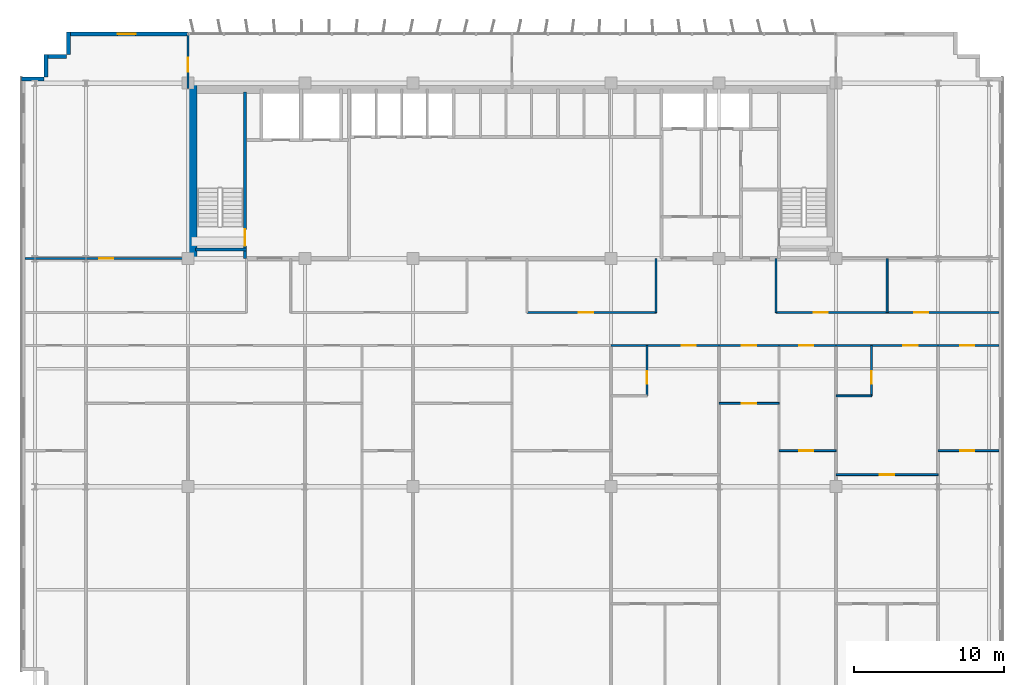
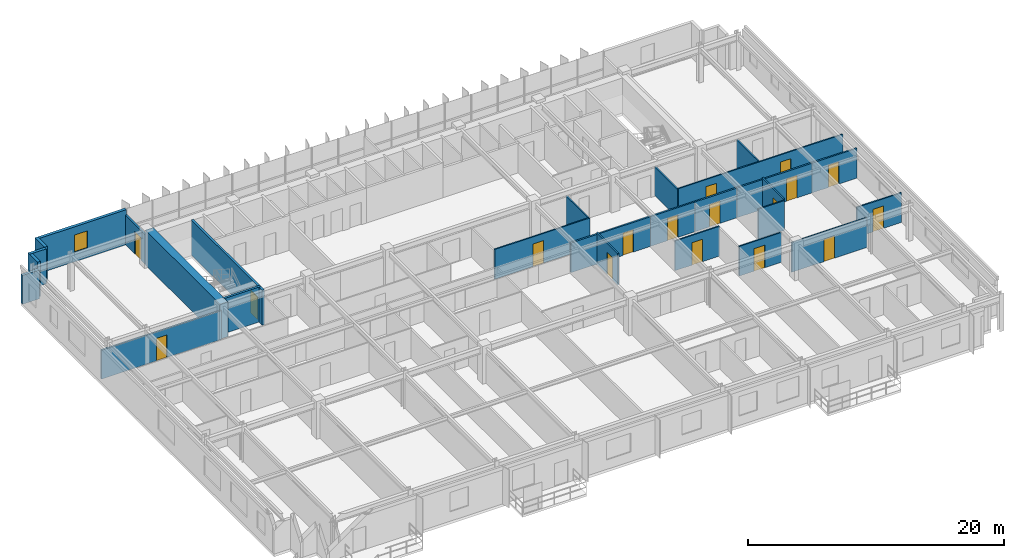
# One storey, part 16 of 21: 27 walls, 17 doors, 1 window, 18 openings.
"""IFC4 building model written with IfcOpenShell, lengths in metres."""

from ifc_helpers import new_model, si_unit, direction, frame, frame_2d, origin, place, context, subcontext, project, spatial, rectangle, extrude, source, transform, mapped, material, layer, layer_set, type_object, element, fill, save


model = new_model("IFC4")

# Units and contexts
model_context = context("Model", 3, precision=1e-05, world=origin(), true_north=direction((0.0, 1.0)))
body_context = subcontext(model_context, "Body", "Model", "MODEL_VIEW")
ifc_project = project(units=[si_unit("LENGTHUNIT", "METRE"), si_unit("AREAUNIT", "SQUARE_METRE"), si_unit("VOLUMEUNIT", "CUBIC_METRE"), si_unit("PLANEANGLEUNIT", "RADIAN"), si_unit("MASSUNIT", "GRAM", prefix="KILO")], contexts=[model_context])

# Site, building, storey
site_placement = place(None, origin())
site = spatial("IfcSite", under=ifc_project, at=site_placement, CompositionType="ELEMENT")
building_placement = place(site_placement, origin())
building = spatial("IfcBuilding", under=site, at=building_placement, Name="Trelvane Seafront Commons", CompositionType="ELEMENT")
storey_placement = place(building_placement, frame((0.0, 0.0, 110.5)))
storey = spatial("IfcBuildingStorey", under=building, at=storey_placement, Name="L28", CompositionType="ELEMENT", Elevation=110.5)

# Wall, opening, window
ifc_material_1 = material(Name="Precast concrete C40/50", Category="concrete")
ifc_layer_1 = layer(ifc_material_1, 0.260009765625, Name="ARCH-WALL-EXT260")
ifc_layer_set_1 = layer_set([ifc_layer_1], Name="Precast concrete C40/50")
wall_type_1 = type_object("IfcWallType", Name="ARCH-WALL-EXT260", PredefinedType="SOLIDWALL", material=ifc_layer_set_1)
wall_1_placement = place(storey_placement, frame((7.60009765625, 48.3701171875, 0.0), z_axis=(0.0, 0.0, 1.0), x_axis=(1.0, 0.0, 0.0)))
wall_1 = element("IfcWall", 1, at=wall_1_placement, inside=storey, type_object=wall_type_1, Name="EW-L28-NW-0517", PredefinedType="SOLIDWALL", context=body_context, shape_type="SweptSolid", body=[
    extrude(rectangle(XDim=8.0, YDim=0.260009765625, at=frame_2d((4.0, 0.0))), origin(), (0.0, 0.0, 1.0), 3.340087890625),
])
opening_1_placement = place(wall_1_placement, frame((3.30810546875, 0.0, 0.89990234375)))
opening_1 = element("IfcOpeningElement", 2, at=opening_1_placement, cuts=wall_1, Name="Opening W05", PredefinedType="OPENING", context=body_context, shape_type="SweptSolid", body=[
    extrude(rectangle(XDim=1.199951171875, YDim=1.64990234375, at=frame_2d((0.60009765625, 0.824951171875))), frame((0.0, 0.139892578125, 0.0), z_axis=(0.0, -1.0, 0.0), x_axis=(1.0, 0.0, 0.0)), (0.0, 0.0, 1.0), 0.280029296875),
])
ifc_material_2 = material(Name="Low-E coastal double glazing", Category="glass")
window_type = type_object("IfcWindowType", Name="ARCH-WIN-W05", PartitioningType="SINGLE_PANEL", PredefinedType="WINDOW", material=ifc_material_2)
shared_shape_1 = source(origin(), body_context, "Body", "SweptSolid", [
    extrude(rectangle(XDim=1.199951171875, YDim=1.64990234375, at=frame_2d((0.60009765625, 0.824951171875))), frame((0.0, 0.030029296875, 0.0), z_axis=(0.0, -1.0, 0.0), x_axis=(1.0, 0.0, 0.0)), (0.0, 0.0, 1.0), 0.06005859375),
])
window_placement = place(opening_1_placement, origin())
window = element("IfcWindow", 3, at=window_placement, inside=storey, type_object=window_type, Name="WIN-L28-00610", OverallHeight=1.64990234375, OverallWidth=1.199951171875, PartitioningType="SINGLE_PANEL", PredefinedType="WINDOW", context=body_context, shape_type="MappedRepresentation", body=[
    mapped(shared_shape_1, transform((0.0, 0.0, 0.0), x_axis=(1.0, 0.0, 0.0), y_axis=(0.0, 1.0, 0.0), z_axis=(0.0, 0.0, 1.0), scale=1.0)),
])
fill(opening_1, window)

# Walls
wall_2_placement = place(storey_placement, frame((4.5, 45.3701171875, 0.0), z_axis=(0.0, 0.0, 1.0), x_axis=(1.0, 0.0, 0.0)))
element("IfcWall", 4, at=wall_2_placement, inside=storey, type_object=wall_type_1, Name="EW-L28-00523", PredefinedType="SOLIDWALL", context=body_context, shape_type="SweptSolid", body=[
    extrude(rectangle(XDim=1.5, YDim=0.260009765625, at=frame_2d((0.75, 0.0))), origin(), (0.0, 0.0, 1.0), 2.751953125),
])
for number, where, z_axis, x_axis, name in (
    (5, (6.1298828125, 45.5, 0.0), (0.0, 0.0, 1.0), (0.0, 1.0, 0.0), "EW-L28-00524"),
    (6, (6.0, 46.8701171875, 0.0), (0.0, 0.0, 1.0), (1.0, 0.0, 0.0), "EW-L28-00525"),
    (7, (7.6298828125, 47.0, 0.0), (0.0, 0.0, 1.0), (0.0, 1.0, 0.0), "EW-L28-00526"),
):
    element("IfcWall", number, at=place(storey_placement, frame(where, z_axis=z_axis, x_axis=x_axis)), inside=storey, type_object=wall_type_1, Name=name, PredefinedType="SOLIDWALL", context=body_context, shape_type="SweptSolid", body=[
        extrude(rectangle(XDim=1.5, YDim=0.260009765625, at=frame_2d((0.75, 0.0))), origin(), (0.0, 0.0, 1.0), 3.340087890625),
    ])

# Wall, opening, door
ifc_material_3 = material(Name="Gypsum Drywall Acoustic Partition")
ifc_layer_2 = layer(ifc_material_3, 0.1201171875, Name="ARCH-WALL-PART120")
ifc_layer_set_2 = layer_set([ifc_layer_2], Name="Gypsum Drywall Acoustic Partition")
wall_type_2 = type_object("IfcWallType", Name="ARCH-WALL-PART120", PredefinedType="PARTITIONING", material=ifc_layer_set_2)
wall_3_placement = place(storey_placement, frame((38.199951171875, 29.800048828125, 0.0), z_axis=(0.0, 0.0, 1.0), x_axis=(1.0, 0.0, 0.0)))
wall_3 = element("IfcWall", 8, at=wall_3_placement, inside=storey, type_object=wall_type_2, Name="W-L28-CORR-N-M2-040", PredefinedType="PARTITIONING", context=body_context, shape_type="SweptSolid", body=[
    extrude(rectangle(XDim=8.60009765625, YDim=0.1201171875, at=frame_2d((4.300048828125, 0.0))), origin(), (0.0, 0.0, 1.0), 2.840087890625),
])
opening_2_placement = place(wall_3_placement, frame((3.4619140625, 0.0, 0.0)))
opening_2 = element("IfcOpeningElement", 9, at=opening_2_placement, cuts=wall_3, Name="Opening D-L28-20", PredefinedType="OPENING", context=body_context, shape_type="SweptSolid", body=[
    extrude(rectangle(XDim=0.949951171875, YDim=2.14990234375, at=frame_2d((0.47509765625, 1.074951171875))), frame((0.0, 0.070068359375, 0.0), z_axis=(0.0, -1.0, 0.0), x_axis=(1.0, 0.0, 0.0)), (0.0, 0.0, 1.0), 0.14013671875),
])
ifc_material_4 = material(Name="Acoustic timber door leaf", Category="wood")
door_type_1 = type_object("IfcDoorType", Name="ARCH-DR-INT950", OperationType="NOTDEFINED", PredefinedType="DOOR", material=ifc_material_4)
shared_shape_2 = source(origin(), body_context, "Body", "SweptSolid", [
    extrude(rectangle(XDim=0.949951171875, YDim=2.14990234375, at=frame_2d((0.47509765625, 1.074951171875))), frame((0.0, 0.02490234375, 0.0), z_axis=(0.0, -1.0, 0.0), x_axis=(1.0, 0.0, 0.0)), (0.0, 0.0, 1.0), 0.050048828125),
])
door_1_placement = place(opening_2_placement, origin())
door_1 = element("IfcDoor", 10, at=door_1_placement, inside=storey, type_object=door_type_1, Name="L28 Door 20", OperationType="SINGLE_SWING_RIGHT", OverallHeight=2.14990234375, OverallWidth=0.949951171875, PredefinedType="DOOR", context=body_context, shape_type="MappedRepresentation", body=[
    mapped(shared_shape_2, transform((0.0, 0.0, 0.0), x_axis=(1.0, 0.0, 0.0), y_axis=(0.0, 1.0, 0.0), z_axis=(0.0, 0.0, 1.0), scale=1.0)),
])
fill(opening_2, door_1)

# Wall, openings, doors
wall_4_placement = place(storey_placement, frame((54.800048828125, 29.800048828125, 0.0), z_axis=(0.0, 0.0, 1.0), x_axis=(1.0, 0.0, 0.0)))
wall_4 = element("IfcWall", 11, at=wall_4_placement, inside=storey, type_object=wall_type_2, Name="W-L28-CORR-N-E-041", PredefinedType="PARTITIONING", context=body_context, shape_type="SweptSolid", body=[
    extrude(rectangle(XDim=14.849853515625, YDim=0.1201171875, at=frame_2d((7.4248046875, 0.0))), origin(), (0.0, 0.0, 1.0), 2.840087890625),
])
opening_3_placement = place(wall_4_placement, frame((2.5, 0.0, 0.0)))
opening_3 = element("IfcOpeningElement", 12, at=opening_3_placement, cuts=wall_4, Name="Opening D-L28-21", PredefinedType="OPENING", context=body_context, shape_type="SweptSolid", body=[
    extrude(rectangle(XDim=0.949951171875, YDim=2.14990234375, at=frame_2d((0.47509765625, 1.074951171875))), frame((0.0, 0.070068359375, 0.0), z_axis=(0.0, -1.0, 0.0), x_axis=(1.0, 0.0, 0.0)), (0.0, 0.0, 1.0), 0.14013671875),
])
opening_4_placement = place(wall_4_placement, frame((9.199951171875, 0.0, 0.0)))
opening_4 = element("IfcOpeningElement", 13, at=opening_4_placement, cuts=wall_4, Name="Opening D-L28-22", PredefinedType="OPENING", context=body_context, shape_type="SweptSolid", body=[
    extrude(rectangle(XDim=0.949951171875, YDim=2.14990234375, at=frame_2d((0.47509765625, 1.074951171875))), frame((0.0, 0.070068359375, 0.0), z_axis=(0.0, -1.0, 0.0), x_axis=(1.0, 0.0, 0.0)), (0.0, 0.0, 1.0), 0.14013671875),
])
door_2_placement = place(opening_3_placement, origin())
door_2 = element("IfcDoor", 14, at=door_2_placement, inside=storey, type_object=door_type_1, Name="L28 Door 21", OperationType="SINGLE_SWING_LEFT", OverallHeight=2.14990234375, OverallWidth=0.949951171875, PredefinedType="DOOR", context=body_context, shape_type="MappedRepresentation", body=[
    mapped(shared_shape_2, transform((0.0, 0.0, 0.0), x_axis=(1.0, 0.0, 0.0), y_axis=(0.0, 1.0, 0.0), z_axis=(0.0, 0.0, 1.0), scale=1.0)),
])
fill(opening_3, door_2)
door_3_placement = place(opening_4_placement, origin())
door_3 = element("IfcDoor", 15, at=door_3_placement, inside=storey, type_object=door_type_1, Name="L28 Door 22", OperationType="SINGLE_SWING_RIGHT", OverallHeight=2.14990234375, OverallWidth=0.949951171875, PredefinedType="DOOR", context=body_context, shape_type="MappedRepresentation", body=[
    mapped(shared_shape_2, transform((0.0, 0.0, 0.0), x_axis=(1.0, 0.0, 0.0), y_axis=(0.0, 1.0, 0.0), z_axis=(0.0, 0.0, 1.0), scale=1.0)),
])
fill(opening_4, door_3)

# Walls
for number, where, z_axis, x_axis, name in (
    (16, (62.199951171875, 29.800048828125, 0.0), (0.0, 0.0, 1.0), (0.0, 1.0, 0.0), "W-L28-N-LAUN-DV-042"),
    (17, (46.800048828125, 29.800048828125, 0.0), (0.0, 0.0, 1.0), (0.0, 1.0, 0.0), "W-L28-N-SPUR-E1-047"),
    (18, (54.800048828125, 29.800048828125, 0.0), (0.0, 0.0, 1.0), (0.0, 1.0, 0.0), "W-L28-N-SPUR-E2-048"),
):
    element("IfcWall", number, at=place(storey_placement, frame(where, z_axis=z_axis, x_axis=x_axis)), inside=storey, type_object=wall_type_2, Name=name, PredefinedType="PARTITIONING", context=body_context, shape_type="SweptSolid", body=[
        extrude(rectangle(XDim=3.599853515625, YDim=0.1201171875, at=frame_2d((1.7998046875, 0.0))), origin(), (0.0, 0.0, 1.0), 2.751953125),
    ])

# Wall, opening, door
wall_5_placement = place(storey_placement, frame((46.199951171875, 24.25, 0.0), z_axis=(0.0, 0.0, 1.0), x_axis=(0.0, 1.0, 0.0)))
wall_5 = element("IfcWall", 19, at=wall_5_placement, inside=storey, type_object=wall_type_2, Name="W-L28-U8-BE-080", PredefinedType="PARTITIONING", context=body_context, shape_type="SweptSolid", body=[
    extrude(rectangle(XDim=3.35009765625, YDim=0.1201171875, at=frame_2d((1.675048828125, 0.0))), origin(), (0.0, 0.0, 1.0), 2.989990234375),
])
opening_5_placement = place(wall_5_placement, frame((0.800048828125, 0.0, 0.0)))
opening_5 = element("IfcOpeningElement", 20, at=opening_5_placement, cuts=wall_5, Name="Opening D-L28-43", PredefinedType="OPENING", context=body_context, shape_type="SweptSolid", body=[
    extrude(rectangle(XDim=0.85009765625, YDim=2.10009765625, at=frame_2d((0.425048828125, 1.050048828125))), frame((0.0, 0.070068359375, 0.0), z_axis=(0.0, -1.0, 0.0), x_axis=(1.0, 0.0, 0.0)), (0.0, 0.0, 1.0), 0.14013671875),
])
door_type_2 = type_object("IfcDoorType", Name="ARCH-DR-INT850", OperationType="NOTDEFINED", PredefinedType="DOOR", material=ifc_material_4)
shared_shape_3 = source(origin(), body_context, "Body", "SweptSolid", [
    extrude(rectangle(XDim=0.85009765625, YDim=2.10009765625, at=frame_2d((0.425048828125, 1.050048828125))), frame((0.0, 0.02490234375, 0.0), z_axis=(0.0, -1.0, 0.0), x_axis=(1.0, 0.0, 0.0)), (0.0, 0.0, 1.0), 0.050048828125),
])
door_4_placement = place(opening_5_placement, origin())
door_4 = element("IfcDoor", 21, at=door_4_placement, inside=storey, type_object=door_type_2, Name="L28 Door 43", OperationType="SINGLE_SWING_LEFT", OverallHeight=2.10009765625, OverallWidth=0.85009765625, PredefinedType="DOOR", context=body_context, shape_type="MappedRepresentation", body=[
    mapped(shared_shape_3, transform((0.0, 0.0, 0.0), x_axis=(1.0, 0.0, 0.0), y_axis=(0.0, 1.0, 0.0), z_axis=(0.0, 0.0, 1.0), scale=1.0)),
])
fill(opening_5, door_4)

wall_6_placement = place(storey_placement, frame((51.0, 23.75, 0.0), z_axis=(0.0, 0.0, 1.0), x_axis=(1.0, 0.0, 0.0)))
wall_6 = element("IfcWall", 22, at=wall_6_placement, inside=storey, type_object=wall_type_2, Name="W-L28-U9-DIV-087", PredefinedType="PARTITIONING", context=body_context, shape_type="SweptSolid", body=[
    extrude(rectangle(XDim=4.0, YDim=0.1201171875, at=frame_2d((2.0, 0.0))), origin(), (0.0, 0.0, 1.0), 2.840087890625),
])
opening_6_placement = place(wall_6_placement, frame((1.52490234375, 0.0, 0.0)))
opening_6 = element("IfcOpeningElement", 23, at=opening_6_placement, cuts=wall_6, Name="Opening D-L28-48", PredefinedType="OPENING", context=body_context, shape_type="SweptSolid", body=[
    extrude(rectangle(XDim=0.949951171875, YDim=2.14990234375, at=frame_2d((0.47509765625, 1.074951171875))), frame((0.0, 0.070068359375, 0.0), z_axis=(0.0, -1.0, 0.0), x_axis=(1.0, 0.0, 0.0)), (0.0, 0.0, 1.0), 0.14013671875),
])
door_5_placement = place(opening_6_placement, origin())
door_5 = element("IfcDoor", 24, at=door_5_placement, inside=storey, type_object=door_type_1, Name="L28 Door 48", OperationType="SINGLE_SWING_RIGHT", OverallHeight=2.14990234375, OverallWidth=0.949951171875, PredefinedType="DOOR", context=body_context, shape_type="MappedRepresentation", body=[
    mapped(shared_shape_2, transform((0.0, 0.0, 0.0), x_axis=(1.0, 0.0, 0.0), y_axis=(0.0, 1.0, 0.0), z_axis=(0.0, 0.0, 1.0), scale=1.0)),
])
fill(opening_6, door_5)

wall_7_placement = place(storey_placement, frame((55.0, 20.60009765625, 0.0), z_axis=(0.0, 0.0, 1.0), x_axis=(1.0, 0.0, 0.0)))
wall_7 = element("IfcWall", 25, at=wall_7_placement, inside=storey, type_object=wall_type_2, Name="W-L28-U10-DIV-089", PredefinedType="PARTITIONING", context=body_context, shape_type="SweptSolid", body=[
    extrude(rectangle(XDim=3.800048828125, YDim=0.1201171875, at=frame_2d((1.89990234375, 0.0))), origin(), (0.0, 0.0, 1.0), 2.840087890625),
])
opening_7_placement = place(wall_7_placement, frame((1.330078125, 0.0, 0.0)))
opening_7 = element("IfcOpeningElement", 26, at=opening_7_placement, cuts=wall_7, Name="Opening D-L28-50", PredefinedType="OPENING", context=body_context, shape_type="SweptSolid", body=[
    extrude(rectangle(XDim=0.949951171875, YDim=2.14990234375, at=frame_2d((0.47509765625, 1.074951171875))), frame((0.0, 0.070068359375, 0.0), z_axis=(0.0, -1.0, 0.0), x_axis=(1.0, 0.0, 0.0)), (0.0, 0.0, 1.0), 0.14013671875),
])
door_6_placement = place(opening_7_placement, origin())
door_6 = element("IfcDoor", 27, at=door_6_placement, inside=storey, type_object=door_type_1, Name="L28 Door 50", OperationType="SINGLE_SWING_RIGHT", OverallHeight=2.14990234375, OverallWidth=0.949951171875, PredefinedType="DOOR", context=body_context, shape_type="MappedRepresentation", body=[
    mapped(shared_shape_2, transform((0.0, 0.0, 0.0), x_axis=(1.0, 0.0, 0.0), y_axis=(0.0, 1.0, 0.0), z_axis=(0.0, 0.0, 1.0), scale=1.0)),
])
fill(opening_7, door_6)

wall_8_placement = place(storey_placement, frame((58.800048828125, 19.0, 0.0), z_axis=(0.0, 0.0, 1.0), x_axis=(1.0, 0.0, 0.0)))
wall_8 = element("IfcWall", 28, at=wall_8_placement, inside=storey, type_object=wall_type_2, Name="W-L28-U11-KL-090", PredefinedType="PARTITIONING", context=body_context, shape_type="SweptSolid", body=[
    extrude(rectangle(XDim=6.800048828125, YDim=0.1201171875, at=frame_2d((3.39990234375, 0.0))), origin(), (0.0, 0.0, 1.0), 2.840087890625),
])
opening_8_placement = place(wall_8_placement, frame((2.925048828125, 0.0, 0.0)))
opening_8 = element("IfcOpeningElement", 29, at=opening_8_placement, cuts=wall_8, Name="Opening D-L28-51", PredefinedType="OPENING", context=body_context, shape_type="SweptSolid", body=[
    extrude(rectangle(XDim=0.949951171875, YDim=2.14990234375, at=frame_2d((0.47509765625, 1.074951171875))), frame((0.0, 0.070068359375, 0.0), z_axis=(0.0, -1.0, 0.0), x_axis=(1.0, 0.0, 0.0)), (0.0, 0.0, 1.0), 0.14013671875),
])
door_7_placement = place(opening_8_placement, origin())
door_7 = element("IfcDoor", 30, at=door_7_placement, inside=storey, type_object=door_type_1, Name="L28 Door 51", OperationType="SINGLE_SWING_LEFT", OverallHeight=2.14990234375, OverallWidth=0.949951171875, PredefinedType="DOOR", context=body_context, shape_type="MappedRepresentation", body=[
    mapped(shared_shape_2, transform((0.0, 0.0, 0.0), x_axis=(1.0, 0.0, 0.0), y_axis=(0.0, 1.0, 0.0), z_axis=(0.0, 0.0, 1.0), scale=1.0)),
])
fill(opening_8, door_7)

wall_9_placement = place(storey_placement, frame((61.162109375, 24.25, 0.0), z_axis=(0.0, 0.0, 1.0), x_axis=(0.0, 1.0, 0.0)))
wall_9 = element("IfcWall", 31, at=wall_9_placement, inside=storey, type_object=wall_type_2, Name="W-L28-U11-BE-091", PredefinedType="PARTITIONING", context=body_context, shape_type="SweptSolid", body=[
    extrude(rectangle(XDim=3.35009765625, YDim=0.1201171875, at=frame_2d((1.675048828125, 0.0))), origin(), (0.0, 0.0, 1.0), 2.989990234375),
])
opening_9_placement = place(wall_9_placement, frame((0.800048828125, 0.0, 0.0)))
opening_9 = element("IfcOpeningElement", 32, at=opening_9_placement, cuts=wall_9, Name="Opening D-L28-52", PredefinedType="OPENING", context=body_context, shape_type="SweptSolid", body=[
    extrude(rectangle(XDim=0.85009765625, YDim=2.10009765625, at=frame_2d((0.425048828125, 1.050048828125))), frame((0.0, 0.070068359375, 0.0), z_axis=(0.0, -1.0, 0.0), x_axis=(1.0, 0.0, 0.0)), (0.0, 0.0, 1.0), 0.14013671875),
])
door_8_placement = place(opening_9_placement, origin())
door_8 = element("IfcDoor", 33, at=door_8_placement, inside=storey, type_object=door_type_2, Name="L28 Door 52", OperationType="SINGLE_SWING_RIGHT", OverallHeight=2.10009765625, OverallWidth=0.85009765625, PredefinedType="DOOR", context=body_context, shape_type="MappedRepresentation", body=[
    mapped(shared_shape_3, transform((0.0, 0.0, 0.0), x_axis=(1.0, 0.0, 0.0), y_axis=(0.0, 1.0, 0.0), z_axis=(0.0, 0.0, 1.0), scale=1.0)),
])
fill(opening_9, door_8)

# Wall
wall_10_placement = place(storey_placement, frame((58.800048828125, 24.25, 0.0), z_axis=(0.0, 0.0, 1.0), x_axis=(1.0, 0.0, 0.0)))
element("IfcWall", 34, at=wall_10_placement, inside=storey, type_object=wall_type_2, Name="W-L28-U11-BS-092", PredefinedType="PARTITIONING", context=body_context, shape_type="SweptSolid", body=[
    extrude(rectangle(XDim=2.362060546875, YDim=0.1201171875, at=frame_2d((1.18115234375, 0.0))), origin(), (0.0, 0.0, 1.0), 2.840087890625),
])

# Wall, opening, door
wall_11_placement = place(storey_placement, frame((65.60009765625, 20.60009765625, 0.0), z_axis=(0.0, 0.0, 1.0), x_axis=(1.0, 0.0, 0.0)))
wall_11 = element("IfcWall", 35, at=wall_11_placement, inside=storey, type_object=wall_type_2, Name="W-L28-U12-DIV-098", PredefinedType="PARTITIONING", context=body_context, shape_type="SweptSolid", body=[
    extrude(rectangle(XDim=4.054931640625, YDim=0.1201171875, at=frame_2d((2.02734375, 0.0))), origin(), (0.0, 0.0, 1.0), 2.840087890625),
])
opening_10_placement = place(wall_11_placement, frame((1.4619140625, 0.0, 0.0)))
opening_10 = element("IfcOpeningElement", 36, at=opening_10_placement, cuts=wall_11, Name="Opening D-L28-57", PredefinedType="OPENING", context=body_context, shape_type="SweptSolid", body=[
    extrude(rectangle(XDim=0.949951171875, YDim=2.14990234375, at=frame_2d((0.47509765625, 1.074951171875))), frame((0.0, 0.070068359375, 0.0), z_axis=(0.0, -1.0, 0.0), x_axis=(1.0, 0.0, 0.0)), (0.0, 0.0, 1.0), 0.14013671875),
])
door_9_placement = place(opening_10_placement, origin())
door_9 = element("IfcDoor", 37, at=door_9_placement, inside=storey, type_object=door_type_1, Name="L28 Door 57", OperationType="SINGLE_SWING_LEFT", OverallHeight=2.14990234375, OverallWidth=0.949951171875, PredefinedType="DOOR", context=body_context, shape_type="MappedRepresentation", body=[
    mapped(shared_shape_2, transform((0.0, 0.0, 0.0), x_axis=(1.0, 0.0, 0.0), y_axis=(0.0, 1.0, 0.0), z_axis=(0.0, 0.0, 1.0), scale=1.0)),
])
fill(opening_10, door_9)

ifc_layer_3 = layer(ifc_material_3, 0.14990234375, Name="ARCH-WALL-PART150")
ifc_layer_set_3 = layer_set([ifc_layer_3], Name="Gypsum Drywall Acoustic Partition")
wall_type_3 = type_object("IfcWallType", Name="ARCH-WALL-PART150", PredefinedType="PARTITIONING", material=ifc_layer_set_3)
wall_12_placement = place(storey_placement, frame((4.75, 33.39990234375, 0.0), z_axis=(0.0, 0.0, 1.0), x_axis=(1.0, 0.0, 0.0)))
wall_12 = element("IfcWall", 38, at=wall_12_placement, inside=storey, type_object=wall_type_3, Name="W-L28-NW-ENT-049", PredefinedType="PARTITIONING", context=body_context, shape_type="SweptSolid", body=[
    extrude(rectangle(XDim=10.85009765625, YDim=0.14990234375, at=frame_2d((5.425048828125, 0.0))), origin(), (0.0, 0.0, 1.0), 2.751953125),
])
opening_11_placement = place(wall_12_placement, frame((4.93994140625, 0.0, 0.0)))
opening_11 = element("IfcOpeningElement", 39, at=opening_11_placement, cuts=wall_12, Name="Opening FD-L28-23", PredefinedType="OPENING", context=body_context, shape_type="SweptSolid", body=[
    extrude(rectangle(XDim=0.949951171875, YDim=2.14990234375, at=frame_2d((0.47509765625, 1.074951171875))), frame((0.0, 0.0849609375, 0.0), z_axis=(0.0, -1.0, 0.0), x_axis=(1.0, 0.0, 0.0)), (0.0, 0.0, 1.0), 0.169921875),
])
ifc_material_5 = material(Name="Powder-coated aluminium frame", Category="aluminium")
door_type_3 = type_object("IfcDoorType", Name="ARCH-DR-FD60-950", OperationType="NOTDEFINED", PredefinedType="DOOR", material=ifc_material_5)
door_10_placement = place(opening_11_placement, origin())
door_10 = element("IfcDoor", 40, at=door_10_placement, inside=storey, type_object=door_type_3, Name="L28 NW Suite Entrance Door", OperationType="SINGLE_SWING_LEFT", OverallHeight=2.14990234375, OverallWidth=0.949951171875, PredefinedType="DOOR", context=body_context, shape_type="MappedRepresentation", body=[
    mapped(shared_shape_2, transform((0.0, 0.0, 0.0), x_axis=(1.0, 0.0, 0.0), y_axis=(0.0, 1.0, 0.0), z_axis=(0.0, 0.0, 1.0), scale=1.0)),
])
fill(opening_11, door_10)

wall_13_placement = place(storey_placement, frame((15.60009765625, 44.75, 0.0), z_axis=(0.0, 0.0, 1.0), x_axis=(0.0, 1.0, 0.0)))
wall_13 = element("IfcWall", 41, at=wall_13_placement, inside=storey, type_object=wall_type_3, Name="W-L28-N-LINK-W-052", PredefinedType="PARTITIONING", context=body_context, shape_type="SweptSolid", body=[
    extrude(rectangle(XDim=3.610107421875, YDim=0.14990234375, at=frame_2d((1.80517578125, 0.0))), origin(), (0.0, 0.0, 1.0), 2.840087890625),
])
opening_12_placement = place(wall_13_placement, frame((1.10009765625, 0.0, 0.0)))
opening_12 = element("IfcOpeningElement", 42, at=opening_12_placement, cuts=wall_13, Name="Opening FD-L28-26", PredefinedType="OPENING", context=body_context, shape_type="SweptSolid", body=[
    extrude(rectangle(XDim=0.949951171875, YDim=2.14990234375, at=frame_2d((0.47509765625, 1.074951171875))), frame((0.0, 0.0849609375, 0.0), z_axis=(0.0, -1.0, 0.0), x_axis=(1.0, 0.0, 0.0)), (0.0, 0.0, 1.0), 0.169921875),
])
door_11_placement = place(opening_12_placement, origin())
door_11 = element("IfcDoor", 43, at=door_11_placement, inside=storey, type_object=door_type_3, Name="L28 Door 26", OperationType="SINGLE_SWING_RIGHT", OverallHeight=2.14990234375, OverallWidth=0.949951171875, PredefinedType="DOOR", context=body_context, shape_type="MappedRepresentation", body=[
    mapped(shared_shape_2, transform((0.0, 0.0, 0.0), x_axis=(1.0, 0.0, 0.0), y_axis=(0.0, 1.0, 0.0), z_axis=(0.0, 0.0, 1.0), scale=1.0)),
])
fill(opening_12, door_11)

wall_14_placement = place(storey_placement, frame((43.800048828125, 27.60009765625, 0.0), z_axis=(0.0, 0.0, 1.0), x_axis=(1.0, 0.0, 0.0)))
wall_14 = element("IfcWall", 44, at=wall_14_placement, inside=storey, type_object=wall_type_3, Name="W-L28-CS-BAY-8-082", PredefinedType="PARTITIONING", context=body_context, shape_type="SweptSolid", body=[
    extrude(rectangle(XDim=7.199951171875, YDim=0.14990234375, at=frame_2d((3.60009765625, 0.0))), origin(), (0.0, 0.0, 1.0), 2.840087890625),
])
opening_13_placement = place(wall_14_placement, frame((4.7060546875, 0.0, 0.0)))
opening_13 = element("IfcOpeningElement", 45, at=opening_13_placement, cuts=wall_14, Name="Opening FD-L28-44", PredefinedType="OPENING", context=body_context, shape_type="SweptSolid", body=[
    extrude(rectangle(XDim=0.949951171875, YDim=2.14990234375, at=frame_2d((0.47509765625, 1.074951171875))), frame((0.0, 0.0849609375, 0.0), z_axis=(0.0, -1.0, 0.0), x_axis=(1.0, 0.0, 0.0)), (0.0, 0.0, 1.0), 0.169921875),
])
door_12_placement = place(opening_13_placement, origin())
door_12 = element("IfcDoor", 46, at=door_12_placement, inside=storey, type_object=door_type_3, Name="L28 Unit 08 Entrance Door", OperationType="SINGLE_SWING_RIGHT", OverallHeight=2.14990234375, OverallWidth=0.949951171875, PredefinedType="DOOR", context=body_context, shape_type="MappedRepresentation", body=[
    mapped(shared_shape_2, transform((0.0, 0.0, 0.0), x_axis=(1.0, 0.0, 0.0), y_axis=(0.0, 1.0, 0.0), z_axis=(0.0, 0.0, 1.0), scale=1.0)),
])
fill(opening_13, door_12)

wall_15_placement = place(storey_placement, frame((51.0, 27.60009765625, 0.0), z_axis=(0.0, 0.0, 1.0), x_axis=(1.0, 0.0, 0.0)))
wall_15 = element("IfcWall", 47, at=wall_15_placement, inside=storey, type_object=wall_type_3, Name="W-L28-CS-BAY-9-086", PredefinedType="PARTITIONING", context=body_context, shape_type="SweptSolid", body=[
    extrude(rectangle(XDim=4.0, YDim=0.14990234375, at=frame_2d((2.0, 0.0))), origin(), (0.0, 0.0, 1.0), 2.840087890625),
])
opening_14_placement = place(wall_15_placement, frame((1.52490234375, 0.0, 0.0)))
opening_14 = element("IfcOpeningElement", 48, at=opening_14_placement, cuts=wall_15, Name="Opening FD-L28-47", PredefinedType="OPENING", context=body_context, shape_type="SweptSolid", body=[
    extrude(rectangle(XDim=0.949951171875, YDim=2.14990234375, at=frame_2d((0.47509765625, 1.074951171875))), frame((0.0, 0.0849609375, 0.0), z_axis=(0.0, -1.0, 0.0), x_axis=(1.0, 0.0, 0.0)), (0.0, 0.0, 1.0), 0.169921875),
])
door_13_placement = place(opening_14_placement, origin())
door_13 = element("IfcDoor", 49, at=door_13_placement, inside=storey, type_object=door_type_3, Name="L28 Bay 09 Entrance Door", OperationType="SINGLE_SWING_LEFT", OverallHeight=2.14990234375, OverallWidth=0.949951171875, PredefinedType="DOOR", context=body_context, shape_type="MappedRepresentation", body=[
    mapped(shared_shape_2, transform((0.0, 0.0, 0.0), x_axis=(1.0, 0.0, 0.0), y_axis=(0.0, 1.0, 0.0), z_axis=(0.0, 0.0, 1.0), scale=1.0)),
])
fill(opening_14, door_13)

wall_16_placement = place(storey_placement, frame((55.0, 27.60009765625, 0.0), z_axis=(0.0, 0.0, 1.0), x_axis=(1.0, 0.0, 0.0)))
wall_16 = element("IfcWall", 50, at=wall_16_placement, inside=storey, type_object=wall_type_3, Name="W-L28-CS-BAY-10-088", PredefinedType="PARTITIONING", context=body_context, shape_type="SweptSolid", body=[
    extrude(rectangle(XDim=3.800048828125, YDim=0.14990234375, at=frame_2d((1.89990234375, 0.0))), origin(), (0.0, 0.0, 1.0), 2.840087890625),
])
opening_15_placement = place(wall_16_placement, frame((1.330078125, 0.0, 0.0)))
opening_15 = element("IfcOpeningElement", 51, at=opening_15_placement, cuts=wall_16, Name="Opening FD-L28-49", PredefinedType="OPENING", context=body_context, shape_type="SweptSolid", body=[
    extrude(rectangle(XDim=0.949951171875, YDim=2.14990234375, at=frame_2d((0.47509765625, 1.074951171875))), frame((0.0, 0.0849609375, 0.0), z_axis=(0.0, -1.0, 0.0), x_axis=(1.0, 0.0, 0.0)), (0.0, 0.0, 1.0), 0.169921875),
])
door_14_placement = place(opening_15_placement, origin())
door_14 = element("IfcDoor", 52, at=door_14_placement, inside=storey, type_object=door_type_3, Name="L28 Bay 10 Entrance Door", OperationType="SINGLE_SWING_LEFT", OverallHeight=2.14990234375, OverallWidth=0.949951171875, PredefinedType="DOOR", context=body_context, shape_type="MappedRepresentation", body=[
    mapped(shared_shape_2, transform((0.0, 0.0, 0.0), x_axis=(1.0, 0.0, 0.0), y_axis=(0.0, 1.0, 0.0), z_axis=(0.0, 0.0, 1.0), scale=1.0)),
])
fill(opening_15, door_14)

wall_17_placement = place(storey_placement, frame((58.800048828125, 27.60009765625, 0.0), z_axis=(0.0, 0.0, 1.0), x_axis=(1.0, 0.0, 0.0)))
wall_17 = element("IfcWall", 53, at=wall_17_placement, inside=storey, type_object=wall_type_3, Name="W-L28-CS-BAY-11-093", PredefinedType="PARTITIONING", context=body_context, shape_type="SweptSolid", body=[
    extrude(rectangle(XDim=6.800048828125, YDim=0.14990234375, at=frame_2d((3.39990234375, 0.0))), origin(), (0.0, 0.0, 1.0), 2.840087890625),
])
opening_16_placement = place(wall_17_placement, frame((4.489990234375, 0.0, 0.0)))
opening_16 = element("IfcOpeningElement", 54, at=opening_16_placement, cuts=wall_17, Name="Opening FD-L28-53", PredefinedType="OPENING", context=body_context, shape_type="SweptSolid", body=[
    extrude(rectangle(XDim=0.949951171875, YDim=2.14990234375, at=frame_2d((0.47509765625, 1.074951171875))), frame((0.0, 0.0849609375, 0.0), z_axis=(0.0, -1.0, 0.0), x_axis=(1.0, 0.0, 0.0)), (0.0, 0.0, 1.0), 0.169921875),
])
door_15_placement = place(opening_16_placement, origin())
door_15 = element("IfcDoor", 55, at=door_15_placement, inside=storey, type_object=door_type_3, Name="L28 Unit 11 Entrance Door", OperationType="SINGLE_SWING_LEFT", OverallHeight=2.14990234375, OverallWidth=0.949951171875, PredefinedType="DOOR", context=body_context, shape_type="MappedRepresentation", body=[
    mapped(shared_shape_2, transform((0.0, 0.0, 0.0), x_axis=(1.0, 0.0, 0.0), y_axis=(0.0, 1.0, 0.0), z_axis=(0.0, 0.0, 1.0), scale=1.0)),
])
fill(opening_16, door_15)

wall_18_placement = place(storey_placement, frame((65.60009765625, 27.60009765625, 0.0), z_axis=(0.0, 0.0, 1.0), x_axis=(1.0, 0.0, 0.0)))
wall_18 = element("IfcWall", 56, at=wall_18_placement, inside=storey, type_object=wall_type_3, Name="W-L28-CS-BAY-12-097", PredefinedType="PARTITIONING", context=body_context, shape_type="SweptSolid", body=[
    extrude(rectangle(XDim=4.054931640625, YDim=0.14990234375, at=frame_2d((2.02734375, 0.0))), origin(), (0.0, 0.0, 1.0), 2.840087890625),
])
opening_17_placement = place(wall_18_placement, frame((1.4619140625, 0.0, 0.0)))
opening_17 = element("IfcOpeningElement", 57, at=opening_17_placement, cuts=wall_18, Name="Opening FD-L28-56", PredefinedType="OPENING", context=body_context, shape_type="SweptSolid", body=[
    extrude(rectangle(XDim=0.949951171875, YDim=2.14990234375, at=frame_2d((0.47509765625, 1.074951171875))), frame((0.0, 0.0849609375, 0.0), z_axis=(0.0, -1.0, 0.0), x_axis=(1.0, 0.0, 0.0)), (0.0, 0.0, 1.0), 0.169921875),
])
door_16_placement = place(opening_17_placement, origin())
door_16 = element("IfcDoor", 58, at=door_16_placement, inside=storey, type_object=door_type_3, Name="L28 Bay 12 Entrance Door", OperationType="SINGLE_SWING_RIGHT", OverallHeight=2.14990234375, OverallWidth=0.949951171875, PredefinedType="DOOR", context=body_context, shape_type="MappedRepresentation", body=[
    mapped(shared_shape_2, transform((0.0, 0.0, 0.0), x_axis=(1.0, 0.0, 0.0), y_axis=(0.0, 1.0, 0.0), z_axis=(0.0, 0.0, 1.0), scale=1.0)),
])
fill(opening_17, door_16)

# Walls
ifc_material_6 = material(Name="Concrete C60/75", Category="concrete")
ifc_layer_4 = layer(ifc_material_6, 0.699951171875, Name="STR-WALL-CORE700")
ifc_layer_set_4 = layer_set([ifc_layer_4], Name="Concrete C60/75")
wall_type_4 = type_object("IfcWallType", Name="STR-WALL-CORE700", PredefinedType="SHEAR", material=ifc_layer_set_4)
wall_19_placement = place(storey_placement, frame((15.85009765625, 33.39990234375, 0.0), z_axis=(0.0, 0.0, 1.0), x_axis=(0.0, 1.0, 0.0)))
element("IfcWall", 59, at=wall_19_placement, inside=storey, type_object=wall_type_4, Name="W-L28-CW-END-002", PredefinedType="SHEAR", context=body_context, shape_type="SweptSolid", body=[
    extrude(rectangle(XDim=11.7001953125, YDim=0.699951171875, at=frame_2d((5.85009765625, 0.0))), origin(), (0.0, 0.0, 1.0), 3.340087890625),
])
ifc_material_7 = material(Name="Concrete C50/60", Category="concrete")
ifc_layer_5 = layer(ifc_material_7, 0.199951171875, Name="STR-WALL-STAIR200")
ifc_layer_set_5 = layer_set([ifc_layer_5], Name="Concrete C50/60")
wall_type_5 = type_object("IfcWallType", Name="STR-WALL-STAIR200", PredefinedType="SHEAR", material=ifc_layer_set_5)
wall_20_placement = place(storey_placement, frame((16.10009765625, 34.0, 0.0), z_axis=(0.0, 0.0, 1.0), x_axis=(1.0, 0.0, 0.0)))
element("IfcWall", 60, at=wall_20_placement, inside=storey, type_object=wall_type_5, Name="W-L28-ST1-S-004", PredefinedType="SHEAR", context=body_context, shape_type="SweptSolid", body=[
    extrude(rectangle(XDim=3.39990234375, YDim=0.199951171875, at=frame_2d((1.699951171875, 0.0))), origin(), (0.0, 0.0, 1.0), 3.340087890625),
])

# Wall, opening, door
wall_21_placement = place(storey_placement, frame((19.39990234375, 33.39990234375, 0.0), z_axis=(0.0, 0.0, 1.0), x_axis=(0.0, 1.0, 0.0)))
wall_21 = element("IfcWall", 61, at=wall_21_placement, inside=storey, type_object=wall_type_5, Name="W-L28-ST1-E-005", PredefinedType="SHEAR", context=body_context, shape_type="SweptSolid", body=[
    extrude(rectangle(XDim=11.10009765625, YDim=0.199951171875, at=frame_2d((5.550048828125, 0.0))), origin(), (0.0, 0.0, 1.0), 3.340087890625),
])
opening_18_placement = place(wall_21_placement, frame((0.85009765625, 0.0, 0.0)))
opening_18 = element("IfcOpeningElement", 62, at=opening_18_placement, cuts=wall_21, Name="Opening ST-D1-L28", PredefinedType="OPENING", context=body_context, shape_type="SweptSolid", body=[
    extrude(rectangle(XDim=1.10009765625, YDim=2.14990234375, at=frame_2d((0.550048828125, 1.074951171875))), frame((0.0, 0.10986328125, 0.0), z_axis=(0.0, -1.0, 0.0), x_axis=(1.0, 0.0, 0.0)), (0.0, 0.0, 1.0), 0.219970703125),
])
door_type_4 = type_object("IfcDoorType", Name="ARCH-DR-FD90-1100", OperationType="NOTDEFINED", PredefinedType="DOOR", material=ifc_material_5)
shared_shape_4 = source(origin(), body_context, "Body", "SweptSolid", [
    extrude(rectangle(XDim=1.10009765625, YDim=2.14990234375, at=frame_2d((0.550048828125, 1.074951171875))), frame((0.0, 0.02490234375, 0.0), z_axis=(0.0, -1.0, 0.0), x_axis=(1.0, 0.0, 0.0)), (0.0, 0.0, 1.0), 0.050048828125),
])
door_17_placement = place(opening_18_placement, origin())
door_17 = element("IfcDoor", 63, at=door_17_placement, inside=storey, type_object=door_type_4, Name="L28 Stair ST-1 Lobby Fire Door", OperationType="SINGLE_SWING_LEFT", OverallHeight=2.14990234375, OverallWidth=1.10009765625, PredefinedType="DOOR", context=body_context, shape_type="MappedRepresentation", body=[
    mapped(shared_shape_4, transform((0.0, 0.0, 0.0), x_axis=(1.0, 0.0, 0.0), y_axis=(0.0, 1.0, 0.0), z_axis=(0.0, 0.0, 1.0), scale=1.0)),
])
fill(opening_18, door_17)

save(model, "model.ifc")
